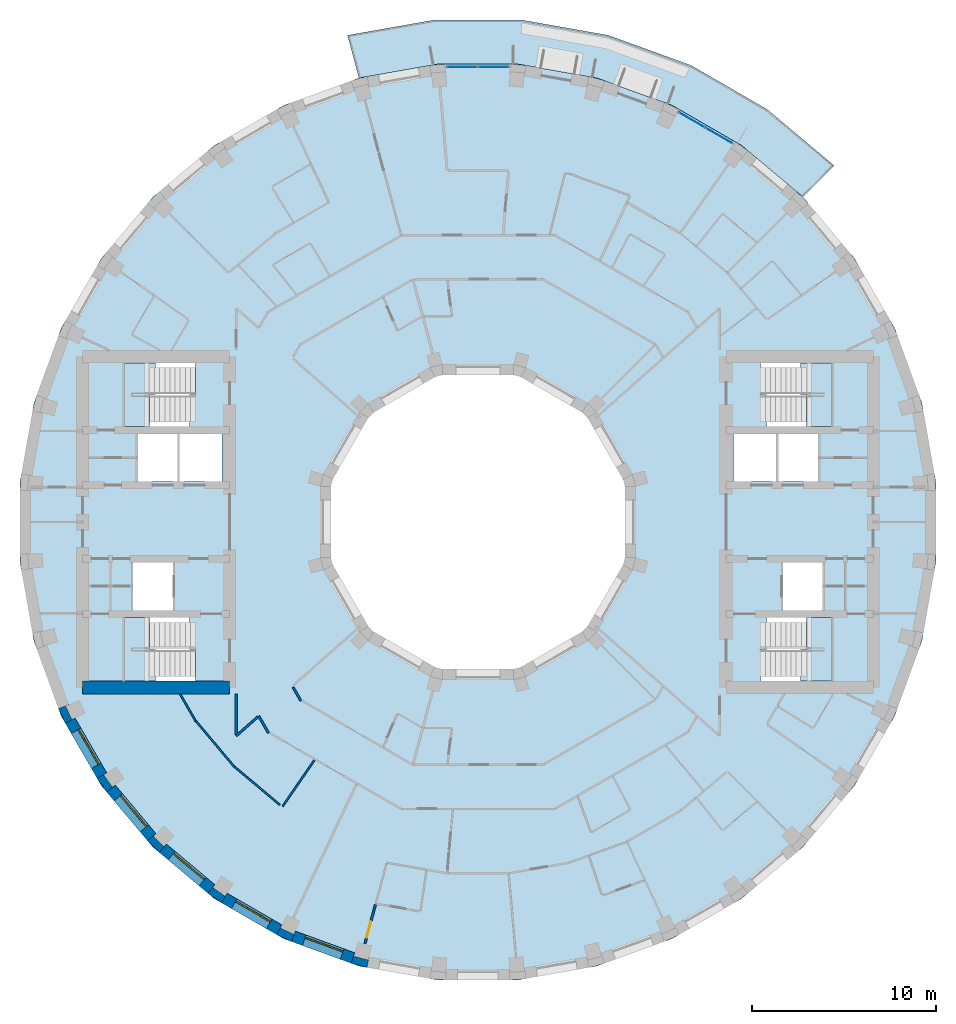
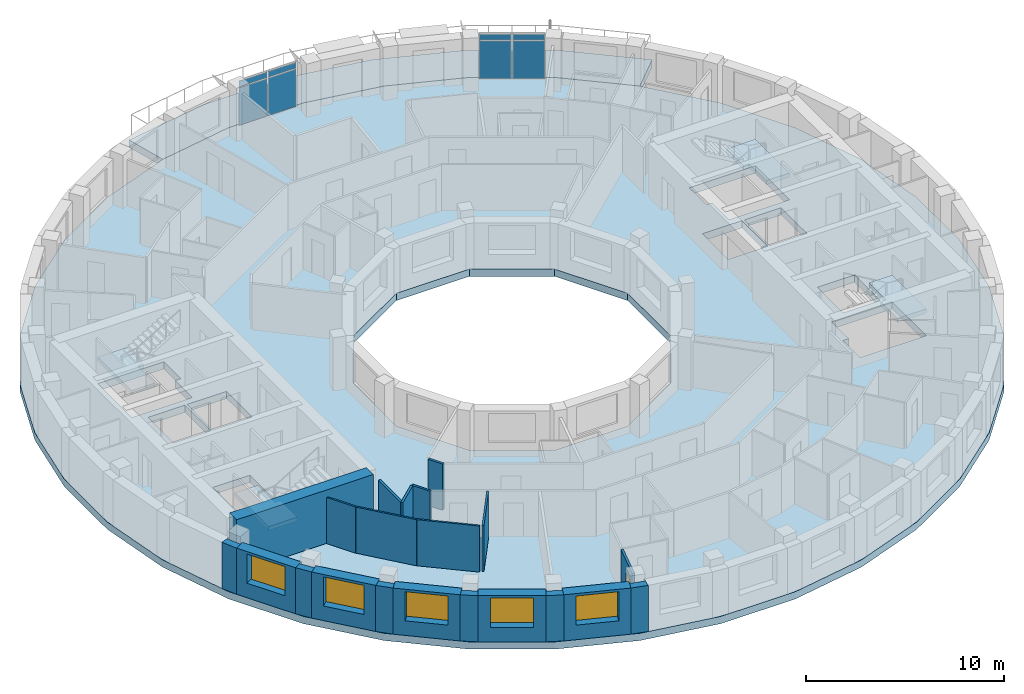
# One storey, part 3 of 13: 21 walls, 8 plates, 6 slabs, 5 windows, 1 door, 6 openings, 6 elements without a shape of their own.
"""IFC4 building model written with IfcOpenShell, lengths in metres."""

from ifc_helpers import new_model, si_unit, direction, frame, frame_2d, origin, origin_2d, place, context, subcontext, project, spatial, polyline, rectangle, outline, extrude, material, layer, layer_set, type_object, element, fill, aggregate, save


model = new_model("IFC4")

# Units and contexts
model_context = context("Model", 3, precision=1e-05, world=origin(), true_north=direction((0.0, 1.0)))
body_context = subcontext(model_context, "Body", "Model", "MODEL_VIEW")
ifc_project = project(units=[si_unit("LENGTHUNIT", "METRE"), si_unit("AREAUNIT", "SQUARE_METRE"), si_unit("VOLUMEUNIT", "CUBIC_METRE"), si_unit("PLANEANGLEUNIT", "RADIAN"), si_unit("MASSUNIT", "GRAM", prefix="KILO")], contexts=[model_context])

# Site, building, storey
site_placement = place(None, origin())
site = spatial("IfcSite", under=ifc_project, at=site_placement, CompositionType="ELEMENT")
building_placement = place(site_placement, origin())
building = spatial("IfcBuilding", under=site, at=building_placement, Name="Saqina Gate Tower", CompositionType="ELEMENT")
storey_placement = place(building_placement, frame((0.0, 0.0, 200.39990234375)))
storey = spatial("IfcBuildingStorey", under=building, at=storey_placement, Name="L57", CompositionType="ELEMENT", Elevation=200.39990234375)

# Curtain wall, plates
ifc_material_1 = material(Name="Aluminium glazing", Category="aluminium")
ifc_layer_1 = layer(ifc_material_1, 0.159912109375)
ifc_layer_set_1 = layer_set([ifc_layer_1], Name="CWT-4")
curtain_wall_type = type_object("IfcCurtainWallType", Name="CWT-4", PredefinedType="NOTDEFINED", material=ifc_layer_set_1)
curtain_wall_1_placement = place(storey_placement, origin())
curtain_wall_1 = element("IfcCurtainWall", 1, at=curtain_wall_1_placement, inside=storey, type_object=curtain_wall_type, Name="Terrace lounge glazing facet 6", PredefinedType="NOTDEFINED")
ifc_material_2 = material(Name="Glass", Category="glass")
ifc_layer_2 = layer(ifc_material_2, 0.028076171875)
ifc_layer_set_2 = layer_set([ifc_layer_2], Name="CWT-4P")
plate_type = type_object("IfcPlateType", Name="CWT-4P", PredefinedType="CURTAIN_PANEL", material=ifc_layer_set_2)
plate_1_placement = place(storey_placement, frame((13.111328125, 21.0146484375, 0.06005859375), z_axis=(0.0, 0.0, 1.0), x_axis=(-0.866017110341, 0.500014364391, 0.0)))
plate_1 = element("IfcPlate", 2, at=plate_1_placement, type_object=plate_type, Name="CW4-06 panel 1.1", PredefinedType="CURTAIN_PANEL", context=body_context, shape_type="SweptSolid", body=[
    extrude(rectangle(XDim=1.634765625, YDim=0.028076171875, at=origin_2d()), origin(), (0.0, 0.0, 1.0), 2.31005859375),
])
plate_2_placement = place(storey_placement, frame((13.111328125, 21.0146484375, 2.43017578125), z_axis=(0.0, 0.0, 1.0), x_axis=(-0.866017110341, 0.500014364391, 0.0)))
plate_2 = element("IfcPlate", 3, at=plate_2_placement, type_object=plate_type, Name="CW4-06 panel 1.2", PredefinedType="CURTAIN_PANEL", context=body_context, shape_type="SweptSolid", body=[
    extrude(rectangle(XDim=1.634765625, YDim=0.028076171875, at=origin_2d()), origin(), (0.0, 0.0, 1.0), 0.360107421875),
])
plate_3_placement = place(storey_placement, frame((11.6435546875, 21.862060546875, 0.06005859375), z_axis=(0.0, 0.0, 1.0), x_axis=(-0.866017110341, 0.500014364391, 0.0)))
plate_3 = element("IfcPlate", 4, at=plate_3_placement, type_object=plate_type, Name="CW4-06 panel 2.1", PredefinedType="CURTAIN_PANEL", context=body_context, shape_type="SweptSolid", body=[
    extrude(rectangle(XDim=1.634765625, YDim=0.028076171875, at=origin_2d()), origin(), (0.0, 0.0, 1.0), 2.31005859375),
])
plate_4_placement = place(storey_placement, frame((11.6435546875, 21.862060546875, 2.43017578125), z_axis=(0.0, 0.0, 1.0), x_axis=(-0.866017110341, 0.500014364391, 0.0)))
plate_4 = element("IfcPlate", 5, at=plate_4_placement, type_object=plate_type, Name="CW4-06 panel 2.2", PredefinedType="CURTAIN_PANEL", context=body_context, shape_type="SweptSolid", body=[
    extrude(rectangle(XDim=1.634765625, YDim=0.028076171875, at=origin_2d()), origin(), (0.0, 0.0, 1.0), 0.360107421875),
])
aggregate(curtain_wall_1, [plate_1, plate_2, plate_3, plate_4])

curtain_wall_2_placement = place(storey_placement, origin())
curtain_wall_2 = element("IfcCurtainWall", 6, at=curtain_wall_2_placement, inside=storey, type_object=curtain_wall_type, Name="Terrace lounge glazing facet 9", PredefinedType="NOTDEFINED")
plate_5_placement = place(storey_placement, frame((0.847412109375, 24.7548828125, 0.06005859375), z_axis=(0.0, 0.0, 1.0), x_axis=(-1.0, 0.0, 0.0)))
plate_5 = element("IfcPlate", 7, at=plate_5_placement, type_object=plate_type, Name="CW4-09 panel 1.1", PredefinedType="CURTAIN_PANEL", context=body_context, shape_type="SweptSolid", body=[
    extrude(rectangle(XDim=1.635009765625, YDim=0.028076171875, at=origin_2d()), origin(), (0.0, 0.0, 1.0), 2.31005859375),
])
plate_6_placement = place(storey_placement, frame((0.847412109375, 24.7548828125, 2.43017578125), z_axis=(0.0, 0.0, 1.0), x_axis=(-1.0, 0.0, 0.0)))
plate_6 = element("IfcPlate", 8, at=plate_6_placement, type_object=plate_type, Name="CW4-09 panel 1.2", PredefinedType="CURTAIN_PANEL", context=body_context, shape_type="SweptSolid", body=[
    extrude(rectangle(XDim=1.635009765625, YDim=0.028076171875, at=origin_2d()), origin(), (0.0, 0.0, 1.0), 0.360107421875),
])
plate_7_placement = place(storey_placement, frame((-0.847412109375, 24.7548828125, 0.06005859375), z_axis=(0.0, 0.0, 1.0), x_axis=(-1.0, 0.0, 0.0)))
plate_7 = element("IfcPlate", 9, at=plate_7_placement, type_object=plate_type, Name="CW4-09 panel 2.1", PredefinedType="CURTAIN_PANEL", context=body_context, shape_type="SweptSolid", body=[
    extrude(rectangle(XDim=1.635009765625, YDim=0.028076171875, at=origin_2d()), origin(), (0.0, 0.0, 1.0), 2.31005859375),
])
plate_8_placement = place(storey_placement, frame((-0.847412109375, 24.7548828125, 2.43017578125), z_axis=(0.0, 0.0, 1.0), x_axis=(-1.0, 0.0, 0.0)))
plate_8 = element("IfcPlate", 10, at=plate_8_placement, type_object=plate_type, Name="CW4-09 panel 2.2", PredefinedType="CURTAIN_PANEL", context=body_context, shape_type="SweptSolid", body=[
    extrude(rectangle(XDim=1.635009765625, YDim=0.028076171875, at=origin_2d()), origin(), (0.0, 0.0, 1.0), 0.360107421875),
])
aggregate(curtain_wall_2, [plate_5, plate_6, plate_7, plate_8])

# Stair, slab
ifc_material_3 = material(Name="Concrete C40/50", Category="concrete")
stair_type = type_object("IfcStairType", Name="EXIT STAIR", PredefinedType="HALF_TURN_STAIR", material=ifc_material_3)
stair_1_placement = place(storey_placement, origin())
stair_1 = element("IfcStair", 11, at=stair_1_placement, inside=storey, type_object=stair_type, Name="EXIT STAIR 1", PredefinedType="HALF_TURN_STAIR")
ifc_material_4 = material(Name="Concrete C40/50", Category="concrete")
ifc_layer_3 = layer(ifc_material_4, 0.25)
ifc_layer_set_3 = layer_set([ifc_layer_3], Name="Concrete C40/50")
slab_type_1 = type_object("IfcSlabType", Name="EXIT STAIR LANDING", PredefinedType="LANDING", material=ifc_layer_set_3)
slab_1_placement = place(storey_placement, frame((0.0, 0.0, 1.400146484375)))
slab_1 = element("IfcSlab", 12, at=slab_1_placement, type_object=slab_type_1, Name="EXIT STAIR 1 LANDING 1", PredefinedType="LANDING", context=body_context, shape_type="SweptSolid", body=[
    extrude(outline(polyline([(19.219970703125, 8.64990234375), (19.219970703125, 5.199951171875), (17.864990234375, 5.199951171875), (17.864990234375, 6.925048828125), (17.534423828125, 6.925048828125), (17.534423828125, 8.64990234375), (17.864990234375, 8.64990234375), (17.8701171875, 8.64990234375), (19.219970703125, 8.64990234375)])), origin(), (0.0, 0.0, 1.0), 0.25),
])
aggregate(stair_1, [slab_1])

stair_2_placement = place(storey_placement, origin())
stair_2 = element("IfcStair", 13, at=stair_2_placement, inside=storey, type_object=stair_type, Name="EXIT STAIR 2", PredefinedType="HALF_TURN_STAIR")
slab_2_placement = place(storey_placement, frame((0.0, 0.0, 1.400146484375)))
slab_2 = element("IfcSlab", 14, at=slab_2_placement, type_object=slab_type_1, Name="EXIT STAIR 2 LANDING 1", PredefinedType="LANDING", context=body_context, shape_type="SweptSolid", body=[
    extrude(outline(polyline([(17.534423828125, -8.64990234375), (17.534423828125, -6.925048828125), (17.864990234375, -6.925048828125), (17.864990234375, -5.199951171875), (19.219970703125, -5.199951171875), (19.219970703125, -8.64990234375), (17.8701171875, -8.64990234375), (17.864990234375, -8.64990234375), (17.534423828125, -8.64990234375)])), origin(), (0.0, 0.0, 1.0), 0.25),
])
aggregate(stair_2, [slab_2])

stair_3_placement = place(storey_placement, origin())
stair_3 = element("IfcStair", 15, at=stair_3_placement, inside=storey, type_object=stair_type, Name="EXIT STAIR 3", PredefinedType="HALF_TURN_STAIR")
slab_3_placement = place(storey_placement, frame((0.0, 0.0, 1.400146484375)))
slab_3 = element("IfcSlab", 16, at=slab_3_placement, type_object=slab_type_1, Name="EXIT STAIR 3 LANDING 1", PredefinedType="LANDING", context=body_context, shape_type="SweptSolid", body=[
    extrude(outline(polyline([(-17.864990234375, 5.199951171875), (-19.219970703125, 5.199951171875), (-19.219970703125, 8.64990234375), (-17.8701171875, 8.64990234375), (-17.864990234375, 8.64990234375), (-17.534423828125, 8.64990234375), (-17.534423828125, 6.925048828125), (-17.864990234375, 6.925048828125), (-17.864990234375, 5.199951171875)])), origin(), (0.0, 0.0, 1.0), 0.25),
])
aggregate(stair_3, [slab_3])

stair_4_placement = place(storey_placement, origin())
stair_4 = element("IfcStair", 17, at=stair_4_placement, inside=storey, type_object=stair_type, Name="EXIT STAIR 4", PredefinedType="HALF_TURN_STAIR")
slab_4_placement = place(storey_placement, frame((0.0, 0.0, 1.400146484375)))
slab_4 = element("IfcSlab", 18, at=slab_4_placement, type_object=slab_type_1, Name="EXIT STAIR 4 LANDING 1", PredefinedType="LANDING", context=body_context, shape_type="SweptSolid", body=[
    extrude(outline(polyline([(-17.534423828125, -6.925048828125), (-17.534423828125, -8.64990234375), (-17.864990234375, -8.64990234375), (-17.8701171875, -8.64990234375), (-19.219970703125, -8.64990234375), (-19.219970703125, -5.199951171875), (-17.864990234375, -5.199951171875), (-17.864990234375, -6.925048828125), (-17.534423828125, -6.925048828125)])), origin(), (0.0, 0.0, 1.0), 0.25),
])
aggregate(stair_4, [slab_4])

# Slabs
ifc_material_5 = material(Name="Concrete C40/50", Category="concrete")
ifc_layer_4 = layer(ifc_material_5, 0.449951171875)
ifc_layer_set_4 = layer_set([ifc_layer_4], Name="Concrete C40/50")
slab_type_2 = type_object("IfcSlabType", Name="STR-POST-TENSIONED FLAT PLATE FLOOR-450", PredefinedType="FLOOR", material=ifc_layer_set_4)
slab_5_placement = place(storey_placement, frame((0.0, 0.0, -0.449951171875)))
element("IfcSlab", 19, at=slab_5_placement, inside=storey, type_object=slab_type_2, Name="L57-SLB01", PredefinedType="FLOOR", context=body_context, shape_type="SweptSolid", body=[
    extrude(outline(polyline([(24.148193359375, -6.470458984375), (24.90478515625, -2.178955078125), (24.90478515625, 2.178955078125), (24.148193359375, 6.470458984375), (22.65771484375, 10.5654296875), (20.478759765625, 14.33935546875), (17.677734375, 17.677734375), (14.33935546875, 20.478759765625), (10.5654296875, 22.65771484375), (6.470458984375, 24.148193359375), (2.178955078125, 24.90478515625), (-2.178955078125, 24.90478515625), (-6.470458984375, 24.148193359375), (-10.5654296875, 22.65771484375), (-14.33935546875, 20.478759765625), (-17.677734375, 17.677734375), (-20.478759765625, 14.33935546875), (-22.65771484375, 10.5654296875), (-24.148193359375, 6.470458984375), (-24.90478515625, 2.178955078125), (-24.90478515625, -2.178955078125), (-24.148193359375, -6.470458984375), (-22.65771484375, -10.5654296875), (-20.478759765625, -14.33935546875), (-17.677734375, -17.677734375), (-14.33935546875, -20.478759765625), (-10.5654296875, -22.65771484375), (-6.470458984375, -24.148193359375), (-2.178955078125, -24.90478515625), (2.178955078125, -24.90478515625), (6.470458984375, -24.148193359375), (10.5654296875, -22.65771484375), (14.33935546875, -20.478759765625), (17.677734375, -17.677734375), (20.478759765625, -14.33935546875), (22.65771484375, -10.5654296875), (24.148193359375, -6.470458984375)]), holes=[polyline([(2.1435546875, 8.0), (5.8564453125, 5.8564453125), (8.0, 2.1435546875), (8.0, -2.1435546875), (5.8564453125, -5.8564453125), (2.1435546875, -8.0), (-2.1435546875, -8.0), (-5.8564453125, -5.8564453125), (-8.0, -2.1435546875), (-8.0, 2.1435546875), (-5.8564453125, 5.8564453125), (-2.1435546875, 8.0), (2.1435546875, 8.0)]), polyline([(-15.35498046875, -8.64990234375), (-19.219970703125, -8.64990234375), (-19.219970703125, -6.925048828125), (-19.219970703125, -5.199951171875), (-15.685546875, -5.199951171875), (-15.685546875, -6.925048828125), (-15.35498046875, -6.925048828125), (-15.35498046875, -8.64990234375)]), polyline([(-16.590087890625, -2.199951171875), (-16.590087890625, -4.800048828125), (-18.75, -4.800048828125), (-18.75, -2.199951171875), (-16.590087890625, -2.199951171875)]), polyline([(-16.340087890625, 4.800048828125), (-16.340087890625, 2.199951171875), (-18.5, 2.199951171875), (-18.5, 4.800048828125), (-16.340087890625, 4.800048828125)]), polyline([(-13.909912109375, 4.800048828125), (-13.909912109375, 2.199951171875), (-16.219970703125, 2.199951171875), (-16.219970703125, 4.800048828125), (-13.909912109375, 4.800048828125)]), polyline([(-19.219970703125, 6.925048828125), (-19.219970703125, 8.64990234375), (-15.35498046875, 8.64990234375), (-15.35498046875, 6.925048828125), (-15.685546875, 6.925048828125), (-15.685546875, 5.199951171875), (-19.219970703125, 5.199951171875), (-19.219970703125, 6.925048828125)]), polyline([(15.35498046875, -8.64990234375), (15.35498046875, -6.925048828125), (15.685546875, -6.925048828125), (15.685546875, -5.199951171875), (19.219970703125, -5.199951171875), (19.219970703125, -6.925048828125), (19.219970703125, -8.64990234375), (15.35498046875, -8.64990234375)]), polyline([(18.75, -2.199951171875), (18.75, -4.800048828125), (16.590087890625, -4.800048828125), (16.590087890625, -2.199951171875), (18.75, -2.199951171875)]), polyline([(16.219970703125, 4.800048828125), (16.219970703125, 2.199951171875), (13.909912109375, 2.199951171875), (13.909912109375, 4.800048828125), (16.219970703125, 4.800048828125)]), polyline([(18.5, 4.800048828125), (18.5, 2.199951171875), (16.340087890625, 2.199951171875), (16.340087890625, 4.800048828125), (18.5, 4.800048828125)]), polyline([(15.685546875, 6.925048828125), (15.35498046875, 6.925048828125), (15.35498046875, 8.64990234375), (19.219970703125, 8.64990234375), (19.219970703125, 6.925048828125), (19.219970703125, 5.199951171875), (15.685546875, 5.199951171875), (15.685546875, 6.925048828125)])]), origin(), (0.0, 0.0, 1.0), 0.449951171875),
])
ifc_material_6 = material(Name="Concrete C40/50", Category="concrete")
ifc_layer_5 = layer(ifc_material_6, 0.449951171875)
ifc_layer_set_5 = layer_set([ifc_layer_5], Name="Concrete C40/50")
slab_type_3 = type_object("IfcSlabType", Name="STR-POST-TENSIONED FLAT PLATE TERRACE-450", PredefinedType="FLOOR", material=ifc_layer_set_5)
slab_6_placement = place(storey_placement, frame((0.0, 0.0, -0.449951171875)))
element("IfcSlab", 20, at=slab_6_placement, inside=storey, type_object=slab_type_3, Name="L57-TRS01", PredefinedType="FLOOR", context=body_context, shape_type="SweptSolid", body=[
    extrude(outline(polyline([(17.677734375, 17.677734375), (14.33935546875, 20.478759765625), (10.5654296875, 22.65771484375), (6.470458984375, 24.148193359375), (2.178955078125, 24.90478515625), (-2.178955078125, 24.90478515625), (-6.470458984375, 24.148193359375), (-7.093994140625, 26.475341796875), (-2.388916015625, 27.304931640625), (2.388916015625, 27.304931640625), (7.093994140625, 26.475341796875), (11.58349609375, 24.841064453125), (15.72119140625, 22.452392578125), (19.381103515625, 19.381103515625), (17.677734375, 17.677734375)])), origin(), (0.0, 0.0, 1.0), 0.449951171875),
])

# Walls
ifc_material_7 = material(Name="Brick masonry (buff)", Category="masonry")
wall_type_1 = type_object("IfcWallType", Name="BRICK PIER COPING BUFF", PredefinedType="SOLIDWALL", material=ifc_material_7)
wall_1_placement = place(storey_placement, origin())
element("IfcWall", 21, at=wall_1_placement, inside=storey, type_object=wall_type_1, Name="Pier cap L57 column 21", PredefinedType="SOLIDWALL", context=body_context, shape_type="SweptSolid", body=[
    extrude(outline(polyline([(-22.4306640625, -10.958740234375), (-21.9111328125, -10.65869140625), (-22.080810546875, -10.73779296875), (-22.4189453125, -10.0126953125), (-22.249267578125, -9.93359375), (-22.81298828125, -10.138916015625), (-22.4306640625, -10.958740234375)])), origin(), (0.0, 0.0, 1.0), 2.85009765625),
])
wall_2_placement = place(storey_placement, origin())
element("IfcWall", 22, at=wall_2_placement, inside=storey, type_object=wall_type_1, Name="Pier cap L57 column 22", PredefinedType="SOLIDWALL", context=body_context, shape_type="SweptSolid", body=[
    extrude(outline(polyline([(-20.705810546875, -13.9462890625), (-20.18701171875, -14.687255859375), (-19.727294921875, -14.301513671875), (-19.880859375, -14.408935546875), (-20.339599609375, -13.753662109375), (-20.186279296875, -13.646240234375), (-20.705810546875, -13.9462890625)])), origin(), (0.0, 0.0, 1.0), 2.85009765625),
])
wall_3_placement = place(storey_placement, origin())
element("IfcWall", 23, at=wall_3_placement, inside=storey, type_object=wall_type_1, Name="Pier cap L57 column 23", PredefinedType="SOLIDWALL", context=body_context, shape_type="SweptSolid", body=[
    extrude(outline(polyline([(-17.329833984375, -17.969482421875), (-16.944091796875, -17.510009765625), (-17.07666015625, -17.642333984375), (-17.642333984375, -17.07666015625), (-17.510009765625, -16.944091796875), (-17.969482421875, -17.329833984375), (-17.329833984375, -17.969482421875)])), origin(), (0.0, 0.0, 1.0), 2.85009765625),
])
wall_4_placement = place(storey_placement, origin())
element("IfcWall", 24, at=wall_4_placement, inside=storey, type_object=wall_type_1, Name="Pier cap L57 column 24", PredefinedType="SOLIDWALL", context=body_context, shape_type="SweptSolid", body=[
    extrude(outline(polyline([(-14.687255859375, -20.18701171875), (-13.9462890625, -20.705810546875), (-13.646240234375, -20.186279296875), (-13.753662109375, -20.339599609375), (-14.408935546875, -19.880859375), (-14.301513671875, -19.727294921875), (-14.687255859375, -20.18701171875)])), origin(), (0.0, 0.0, 1.0), 2.85009765625),
])
wall_5_placement = place(storey_placement, origin())
element("IfcWall", 25, at=wall_5_placement, inside=storey, type_object=wall_type_1, Name="Pier cap L57 column 25", PredefinedType="SOLIDWALL", context=body_context, shape_type="SweptSolid", body=[
    extrude(outline(polyline([(-10.138916015625, -22.81298828125), (-9.93359375, -22.249267578125), (-10.0126953125, -22.4189453125), (-10.73779296875, -22.080810546875), (-10.65869140625, -21.9111328125), (-10.958740234375, -22.4306640625), (-10.138916015625, -22.81298828125)])), origin(), (0.0, 0.0, 1.0), 2.85009765625),
])
wall_6_placement = place(storey_placement, origin())
element("IfcWall", 26, at=wall_6_placement, inside=storey, type_object=wall_type_1, Name="Pier cap L57 column 26", PredefinedType="SOLIDWALL", context=body_context, shape_type="SweptSolid", body=[
    extrude(outline(polyline([(-6.0234375, -24.22705078125), (-5.919189453125, -23.635986328125), (-5.967529296875, -23.81689453125), (-6.740478515625, -23.610107421875), (-6.69189453125, -23.428955078125), (-6.897216796875, -23.992919921875), (-6.0234375, -24.22705078125)])), origin(), (0.0, 0.0, 1.0), 2.85009765625),
])

# Wall, opening, window
ifc_material_8 = material(Name="Brick masonry (buff)", Category="masonry")
ifc_layer_6 = layer(ifc_material_8, 0.60009765625)
ifc_layer_set_6 = layer_set([ifc_layer_6], Name="FW-BRICK-BUFF")
wall_type_2 = type_object("IfcWallType", Name="FW-BRICK-BUFF", PredefinedType="SOLIDWALL", material=ifc_layer_set_6)
wall_7_placement = place(storey_placement, frame((-22.1708984375, -10.80859375, 0.0), z_axis=(0.0, 0.0, 1.0), x_axis=(0.499998129301, -0.86602648383, 0.0)))
wall_7 = element("IfcWall", 27, at=wall_7_placement, inside=storey, type_object=wall_type_2, Name="Facade wall L57 facet 21", PredefinedType="SOLIDWALL", context=body_context, shape_type="SweptSolid", body=[
    extrude(rectangle(XDim=3.44970703125, YDim=0.60009765625, at=frame_2d((1.724853515625, 0.0))), origin(), (0.0, 0.0, 1.0), 2.85009765625),
])
opening_1_placement = place(wall_7_placement, frame((0.625, 0.0, 0.89990234375)))
opening_1 = element("IfcOpeningElement", 28, at=opening_1_placement, cuts=wall_7, Name="Opening G17-W10", PredefinedType="OPENING", context=body_context, shape_type="SweptSolid", body=[
    extrude(rectangle(XDim=2.199951171875, YDim=1.800048828125, at=frame_2d((1.10009765625, 0.89990234375))), frame((0.0, 0.31201171875, 0.0), z_axis=(0.0, -1.0, 0.0), x_axis=(1.0, 0.0, 0.0)), (0.0, 0.0, 1.0), 0.6240234375),
])
ifc_material_9 = material(Name="Aluminium glazing", Category="aluminium")
window_type = type_object("IfcWindowType", Name="WN-C", PartitioningType="SINGLE_PANEL", PredefinedType="WINDOW", material=ifc_material_9)
window_1_placement = place(opening_1_placement, origin())
window_1 = element("IfcWindow", 29, at=window_1_placement, inside=storey, type_object=window_type, Name="Window L57 facet 21", OverallHeight=1.800048828125, OverallWidth=2.199951171875, PartitioningType="SINGLE_PANEL", PredefinedType="WINDOW", context=body_context, shape_type="SweptSolid", body=[
    extrude(rectangle(XDim=2.199951171875, YDim=1.800048828125, at=frame_2d((1.10009765625, 0.89990234375))), frame((0.0, 0.179931640625, 0.0), z_axis=(0.0, -1.0, 0.0), x_axis=(1.0, 0.0, 0.0)), (0.0, 0.0, 1.0), 0.06005859375),
])
fill(opening_1, window_1)

wall_8_placement = place(storey_placement, frame((-19.95703125, -14.494384765625, 0.0), z_axis=(0.0, 0.0, 1.0), x_axis=(0.642770398358, -0.766058884809, 0.0)))
wall_8 = element("IfcWall", 30, at=wall_8_placement, inside=storey, type_object=wall_type_2, Name="Facade wall L57 facet 22", PredefinedType="SOLIDWALL", context=body_context, shape_type="SweptSolid", body=[
    extrude(rectangle(XDim=3.449462890625, YDim=0.60009765625, at=frame_2d((1.724609375, 0.0))), origin(), (0.0, 0.0, 1.0), 2.85009765625),
])
opening_2_placement = place(wall_8_placement, frame((0.625, 0.0, 0.89990234375)))
opening_2 = element("IfcOpeningElement", 31, at=opening_2_placement, cuts=wall_8, Name="Opening G17-W11", PredefinedType="OPENING", context=body_context, shape_type="SweptSolid", body=[
    extrude(rectangle(XDim=2.199951171875, YDim=1.800048828125, at=frame_2d((1.10009765625, 0.89990234375))), frame((0.0, 0.31201171875, 0.0), z_axis=(0.0, -1.0, 0.0), x_axis=(1.0, 0.0, 0.0)), (0.0, 0.0, 1.0), 0.6240234375),
])
window_2_placement = place(opening_2_placement, origin())
window_2 = element("IfcWindow", 32, at=window_2_placement, inside=storey, type_object=window_type, Name="Window L57 facet 22", OverallHeight=1.800048828125, OverallWidth=2.199951171875, PartitioningType="SINGLE_PANEL", PredefinedType="WINDOW", context=body_context, shape_type="SweptSolid", body=[
    extrude(rectangle(XDim=2.199951171875, YDim=1.800048828125, at=frame_2d((1.10009765625, 0.89990234375))), frame((0.0, 0.179931640625, 0.0), z_axis=(0.0, -1.0, 0.0), x_axis=(1.0, 0.0, 0.0)), (0.0, 0.0, 1.0), 0.06005859375),
])
fill(opening_2, window_2)

wall_9_placement = place(storey_placement, frame((-17.136962890625, -17.73974609375, 0.0), z_axis=(0.0, 0.0, 1.0), x_axis=(0.766058884809, -0.642770398358, 0.0)))
wall_9 = element("IfcWall", 33, at=wall_9_placement, inside=storey, type_object=wall_type_2, Name="Facade wall L57 facet 23", PredefinedType="SOLIDWALL", context=body_context, shape_type="SweptSolid", body=[
    extrude(rectangle(XDim=3.449462890625, YDim=0.60009765625, at=frame_2d((1.724609375, 0.0))), origin(), (0.0, 0.0, 1.0), 2.85009765625),
])
opening_3_placement = place(wall_9_placement, frame((0.625, 0.0, 0.89990234375)))
opening_3 = element("IfcOpeningElement", 34, at=opening_3_placement, cuts=wall_9, Name="Opening G17-W12", PredefinedType="OPENING", context=body_context, shape_type="SweptSolid", body=[
    extrude(rectangle(XDim=2.199951171875, YDim=1.800048828125, at=frame_2d((1.10009765625, 0.89990234375))), frame((0.0, 0.31201171875, 0.0), z_axis=(0.0, -1.0, 0.0), x_axis=(1.0, 0.0, 0.0)), (0.0, 0.0, 1.0), 0.6240234375),
])
window_3_placement = place(opening_3_placement, origin())
window_3 = element("IfcWindow", 35, at=window_3_placement, inside=storey, type_object=window_type, Name="Window L57 facet 23", OverallHeight=1.800048828125, OverallWidth=2.199951171875, PartitioningType="SINGLE_PANEL", PredefinedType="WINDOW", context=body_context, shape_type="SweptSolid", body=[
    extrude(rectangle(XDim=2.199951171875, YDim=1.800048828125, at=frame_2d((1.10009765625, 0.89990234375))), frame((0.0, 0.179931640625, 0.0), z_axis=(0.0, -1.0, 0.0), x_axis=(1.0, 0.0, 0.0)), (0.0, 0.0, 1.0), 0.06005859375),
])
fill(opening_3, window_3)

wall_10_placement = place(storey_placement, frame((-13.796142578125, -20.446044921875, 0.0), z_axis=(0.0, 0.0, 1.0), x_axis=(0.86602648383, -0.499998129301, 0.0)))
wall_10 = element("IfcWall", 36, at=wall_10_placement, inside=storey, type_object=wall_type_2, Name="Facade wall L57 facet 24", PredefinedType="SOLIDWALL", context=body_context, shape_type="SweptSolid", body=[
    extrude(rectangle(XDim=3.44970703125, YDim=0.60009765625, at=frame_2d((1.724853515625, 0.0))), origin(), (0.0, 0.0, 1.0), 2.85009765625),
])
opening_4_placement = place(wall_10_placement, frame((0.625, 0.0, 0.89990234375)))
opening_4 = element("IfcOpeningElement", 37, at=opening_4_placement, cuts=wall_10, Name="Opening G17-W13", PredefinedType="OPENING", context=body_context, shape_type="SweptSolid", body=[
    extrude(rectangle(XDim=2.199951171875, YDim=1.800048828125, at=frame_2d((1.10009765625, 0.89990234375))), frame((0.0, 0.31201171875, 0.0), z_axis=(0.0, -1.0, 0.0), x_axis=(1.0, 0.0, 0.0)), (0.0, 0.0, 1.0), 0.6240234375),
])
window_4_placement = place(opening_4_placement, origin())
window_4 = element("IfcWindow", 38, at=window_4_placement, inside=storey, type_object=window_type, Name="Window L57 facet 24", OverallHeight=1.800048828125, OverallWidth=2.199951171875, PartitioningType="SINGLE_PANEL", PredefinedType="WINDOW", context=body_context, shape_type="SweptSolid", body=[
    extrude(rectangle(XDim=2.199951171875, YDim=1.800048828125, at=frame_2d((1.10009765625, 0.89990234375))), frame((0.0, 0.179931640625, 0.0), z_axis=(0.0, -1.0, 0.0), x_axis=(1.0, 0.0, 0.0)), (0.0, 0.0, 1.0), 0.06005859375),
])
fill(opening_4, window_4)

wall_11_placement = place(storey_placement, frame((-10.0361328125, -22.531005859375, 0.0), z_axis=(0.0, 0.0, 1.0), x_axis=(0.93968799822, -0.342032843455, 0.0)))
wall_11 = element("IfcWall", 39, at=wall_11_placement, inside=storey, type_object=wall_type_2, Name="Facade wall L57 facet 25", PredefinedType="SOLIDWALL", context=body_context, shape_type="SweptSolid", body=[
    extrude(rectangle(XDim=3.44970703125, YDim=0.60009765625, at=frame_2d((1.724853515625, 0.0))), origin(), (0.0, 0.0, 1.0), 2.85009765625),
])
opening_5_placement = place(wall_11_placement, frame((0.625, 0.0, 0.89990234375)))
opening_5 = element("IfcOpeningElement", 40, at=opening_5_placement, cuts=wall_11, Name="Opening G17-W14", PredefinedType="OPENING", context=body_context, shape_type="SweptSolid", body=[
    extrude(rectangle(XDim=2.199951171875, YDim=1.800048828125, at=frame_2d((1.10009765625, 0.89990234375))), frame((0.0, 0.31201171875, 0.0), z_axis=(0.0, -1.0, 0.0), x_axis=(1.0, 0.0, 0.0)), (0.0, 0.0, 1.0), 0.6240234375),
])
window_5_placement = place(opening_5_placement, origin())
window_5 = element("IfcWindow", 41, at=window_5_placement, inside=storey, type_object=window_type, Name="Window L57 facet 25", OverallHeight=1.800048828125, OverallWidth=2.199951171875, PartitioningType="SINGLE_PANEL", PredefinedType="WINDOW", context=body_context, shape_type="SweptSolid", body=[
    extrude(rectangle(XDim=2.199951171875, YDim=1.800048828125, at=frame_2d((1.10009765625, 0.89990234375))), frame((0.0, 0.179931640625, 0.0), z_axis=(0.0, -1.0, 0.0), x_axis=(1.0, 0.0, 0.0)), (0.0, 0.0, 1.0), 0.06005859375),
])
fill(opening_5, window_5)

# Walls
ifc_material_10 = material(Name="Gypsum board on steel studs, 100 mm", Category="steel")
ifc_layer_7 = layer(ifc_material_10, 0.10009765625)
ifc_layer_set_7 = layer_set([ifc_layer_7], Name="PARTITION 100")
wall_type_3 = type_object("IfcWallType", Name="PARTITION 100", PredefinedType="PARTITIONING", material=ifc_layer_set_7)
wall_12_placement = place(storey_placement, frame((-16.199951171875, -9.35009765625, 0.0), z_axis=(0.0, 0.0, 1.0), x_axis=(0.499589038157, -0.866262542739, 0.0)))
element("IfcWall", 42, at=wall_12_placement, inside=storey, type_object=wall_type_3, Name="PARTITION PW3-10", PredefinedType="PARTITIONING", context=body_context, shape_type="SweptSolid", body=[
    extrude(rectangle(XDim=1.68994140625, YDim=0.10009765625, at=frame_2d((0.844970703125, 0.0))), origin(), (0.0, 0.0, 1.0), 2.85009765625),
])
wall_13_placement = place(storey_placement, frame((-15.348876953125, -10.808349609375, 0.0), z_axis=(0.0, 0.0, 1.0), x_axis=(0.642857965628, -0.765985401968, 0.0)))
element("IfcWall", 43, at=wall_13_placement, inside=storey, type_object=wall_type_3, Name="PARTITION PW3-15", PredefinedType="PARTITIONING", context=body_context, shape_type="SweptSolid", body=[
    extrude(rectangle(XDim=3.273681640625, YDim=0.10009765625, at=frame_2d((1.63671875, 0.0))), origin(), (0.0, 0.0, 1.0), 2.85009765625),
])
wall_14_placement = place(storey_placement, frame((-13.23876953125, -13.30908203125, 0.0), z_axis=(0.0, 0.0, 1.0), x_axis=(0.76596892519, -0.642877597714, 0.0)))
element("IfcWall", 44, at=wall_14_placement, inside=storey, type_object=wall_type_3, Name="PARTITION PW3-23", PredefinedType="PARTITIONING", context=body_context, shape_type="SweptSolid", body=[
    extrude(rectangle(XDim=3.22314453125, YDim=0.10009765625, at=frame_2d((1.611572265625, 0.0))), origin(), (0.0, 0.0, 1.0), 2.85009765625),
])
wall_15_placement = place(storey_placement, frame((-10.623046875, -15.465087890625, 0.0), z_axis=(0.0, 0.0, 1.0), x_axis=(0.566094144379, 0.824340596902, 0.0)))
element("IfcWall", 45, at=wall_15_placement, inside=storey, type_object=wall_type_3, Name="PARTITION PW3-56", PredefinedType="PARTITIONING", context=body_context, shape_type="SweptSolid", body=[
    extrude(rectangle(XDim=3.0517578125, YDim=0.10009765625, at=frame_2d((1.52587890625, 0.0))), origin(), (0.0, 0.0, 1.0), 2.85009765625),
])
ifc_material_11 = material(Name="Gypsum board on steel studs, 125 mm, fire rated", Category="steel")
ifc_layer_8 = layer(ifc_material_11, 0.125)
ifc_layer_set_8 = layer_set([ifc_layer_8], Name="PARTITION EI 30 125")
wall_type_4 = type_object("IfcWallType", Name="PARTITION EI 30 125", PredefinedType="PARTITIONING", material=ifc_layer_set_8)
wall_16_placement = place(storey_placement, frame((-11.923095703125, -10.549072265625, 0.0), z_axis=(0.0, 0.0, 1.0), x_axis=(0.500304011038, -0.865849811769, 0.0)))
element("IfcWall", 46, at=wall_16_placement, inside=storey, type_object=wall_type_4, Name="PARTITION PW1-02", PredefinedType="PARTITIONING", context=body_context, shape_type="SweptSolid", body=[
    extrude(rectangle(XDim=1.077880859375, YDim=0.125, at=frame_2d((0.5390625, 0.0))), origin(), (0.0, 0.0, 1.0), 2.85009765625),
])
wall_17_placement = place(storey_placement, frame((-10.0576171875, -8.980224609375, 0.0), z_axis=(0.0, 0.0, 1.0), x_axis=(0.500409926597, -0.865788603161, 0.0)))
element("IfcWall", 47, at=wall_17_placement, inside=storey, type_object=wall_type_4, Name="PARTITION PW1-03", PredefinedType="PARTITIONING", context=body_context, shape_type="SweptSolid", body=[
    extrude(rectangle(XDim=0.860595703125, YDim=0.125, at=frame_2d((0.43017578125, 0.0))), origin(), (0.0, 0.0, 1.0), 2.85009765625),
])
wall_18_placement = place(storey_placement, frame((-13.14990234375, -11.634033203125, 0.0), z_axis=(0.0, 0.0, 1.0), x_axis=(0.748946277056, 0.662630722261, 0.0)))
element("IfcWall", 48, at=wall_18_placement, inside=storey, type_object=wall_type_4, Name="PARTITION PW1-36", PredefinedType="PARTITIONING", context=body_context, shape_type="SweptSolid", body=[
    extrude(rectangle(XDim=1.575439453125, YDim=0.125, at=frame_2d((0.78759765625, 0.0))), origin(), (0.0, 0.0, 1.0), 2.85009765625),
])

# Wall, opening, door
wall_19_placement = place(storey_placement, frame((-6.145751953125, -22.9306640625, 0.0), z_axis=(0.0, 0.0, 1.0), x_axis=(0.259544407095, 0.965731174161, 0.0)))
wall_19 = element("IfcWall", 49, at=wall_19_placement, inside=storey, type_object=wall_type_4, Name="PARTITION PW1-45", PredefinedType="PARTITIONING", context=body_context, shape_type="SweptSolid", body=[
    extrude(rectangle(XDim=2.203857421875, YDim=0.125, at=frame_2d((1.10205078125, 0.0))), origin(), (0.0, 0.0, 1.0), 2.85009765625),
])
opening_6_placement = place(wall_19_placement, frame((0.3486328125, 0.0, 0.0)))
opening_6 = element("IfcOpeningElement", 50, at=opening_6_placement, cuts=wall_19, Name="Opening G17-D31", PredefinedType="OPENING", context=body_context, shape_type="SweptSolid", body=[
    extrude(rectangle(XDim=0.89990234375, YDim=2.10009765625, at=frame_2d((0.449951171875, 1.050048828125))), frame((0.0, 0.074462890625, 0.0), z_axis=(0.0, -1.0, 0.0), x_axis=(1.0, 0.0, 0.0)), (0.0, 0.0, 1.0), 0.14892578125),
])
ifc_material_12 = material(Name="Fire door leaf EI 30, 900 mm")
door_type = type_object("IfcDoorType", Name="DOOR 900 EI 30", OperationType="SINGLE_SWING_LEFT", PredefinedType="DOOR", material=ifc_material_12)
door_placement = place(opening_6_placement, origin())
door = element("IfcDoor", 51, at=door_placement, inside=storey, type_object=door_type, Name="DOOR G17-D31", OperationType="SINGLE_SWING_LEFT", OverallHeight=2.10009765625, OverallWidth=0.89990234375, PredefinedType="DOOR", context=body_context, shape_type="SweptSolid", body=[
    extrude(rectangle(XDim=0.89990234375, YDim=2.10009765625, at=frame_2d((0.449951171875, 1.050048828125))), frame((0.0, 0.02490234375, 0.0), z_axis=(0.0, -1.0, 0.0), x_axis=(1.0, 0.0, 0.0)), (0.0, 0.0, 1.0), 0.050048828125),
])
fill(opening_6, door)

# Walls
wall_20_placement = place(storey_placement, frame((-13.14990234375, -11.571533203125, 0.0), z_axis=(0.0, 0.0, 1.0), x_axis=(0.0, 1.0, 0.0)))
element("IfcWall", 52, at=wall_20_placement, inside=storey, type_object=wall_type_4, Name="PARTITION PW1-48", PredefinedType="PARTITIONING", context=body_context, shape_type="SweptSolid", body=[
    extrude(rectangle(XDim=2.221435546875, YDim=0.125, at=frame_2d((1.11083984375, 0.0))), origin(), (0.0, 0.0, 1.0), 2.85009765625),
])
ifc_material_13 = material(Name="Concrete C60/75", Category="concrete")
ifc_layer_9 = layer(ifc_material_13, 0.699951171875)
ifc_layer_set_9 = layer_set([ifc_layer_9], Name="Concrete C60/75")
wall_type_5 = type_object("IfcWallType", Name="STR-CORE WALL-C-O", PredefinedType="SHEAR", material=ifc_layer_set_9)
wall_21_placement = place(storey_placement, frame((-13.5, -9.0, 0.0), z_axis=(0.0, 0.0, 1.0), x_axis=(-1.0, 0.0, 0.0)))
element("IfcWall", 53, at=wall_21_placement, inside=storey, type_object=wall_type_5, Name="CORE WALL L57 W-SE", PredefinedType="SHEAR", context=body_context, shape_type="SweptSolid", body=[
    extrude(rectangle(XDim=8.0, YDim=0.699951171875, at=frame_2d((4.0, 0.0))), origin(), (0.0, 0.0, 1.0), 3.300048828125),
])

save(model, "model.ifc")
